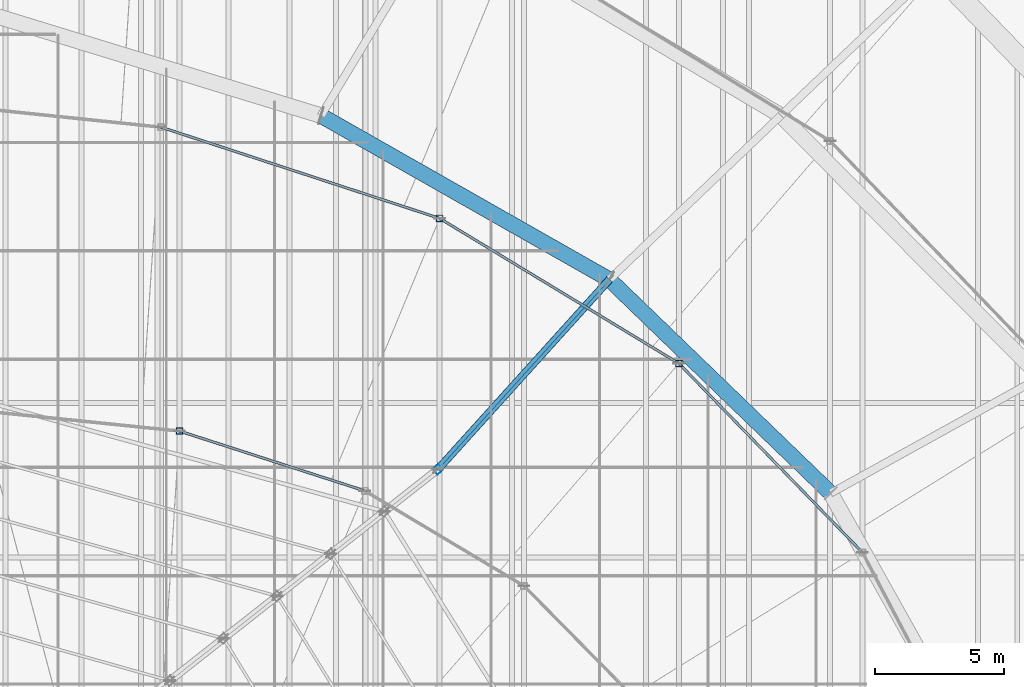
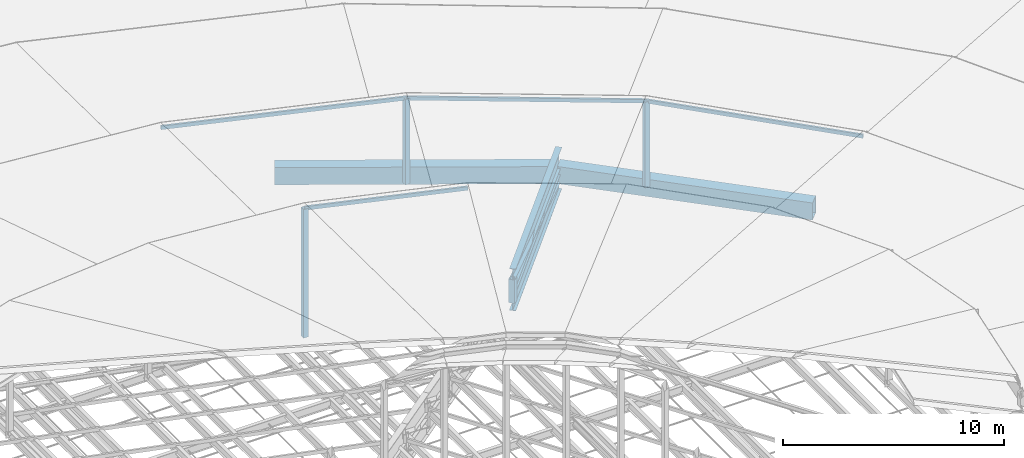
# One storey, part 121 of 184: 9 members, 4 beams.
"""IFC4 building model written with IfcOpenShell, lengths in metres."""

from ifc_helpers import new_model, si_unit, direction, frame, origin, origin_2d, place, context, subcontext, project, spatial, hollow_rectangle, i_section, extrude, material, material_profile, profile_set, type_object, element, save


model = new_model("IFC4")

# Units and contexts
model_context = context("Model", 3, precision=1e-05, world=origin(), true_north=direction((0.0, 1.0)))
body_context = subcontext(model_context, "Body", "Model", "MODEL_VIEW")
ifc_project = project(units=[si_unit("LENGTHUNIT", "METRE"), si_unit("AREAUNIT", "SQUARE_METRE"), si_unit("VOLUMEUNIT", "CUBIC_METRE"), si_unit("PLANEANGLEUNIT", "RADIAN"), si_unit("MASSUNIT", "GRAM", prefix="KILO")], contexts=[model_context])

# Site, building, storey
site_placement = place(None, origin())
site = spatial("IfcSite", under=ifc_project, at=site_placement, CompositionType="ELEMENT")
building_placement = place(site_placement, origin())
building = spatial("IfcBuilding", under=site, at=building_placement, Name="Kalgoora Escarpment Arena", CompositionType="ELEMENT")
storey_placement = place(building_placement, frame((0.0, 0.0, 27.60009765625)))
storey = spatial("IfcBuildingStorey", under=building, at=storey_placement, Name="Roof Level", CompositionType="ELEMENT", Elevation=27.60009765625)

# Beams
ifc_material_1 = material(Name="Structural steel Grade 350 (350 MPa)", Category="steel")
ifc_material_profile_1 = material_profile(ifc_material_1, hollow_rectangle(XDim=0.60009765625, YDim=0.949951171875, WallThickness=0.02490234375, at=origin_2d()))
ifc_profile_set_1 = profile_set([ifc_material_profile_1], Name="Structural steel Grade 350 (350 MPa)")
beam_type_1 = type_object("IfcBeamType", Name="BM-RING-BOX950", PredefinedType="USERDEFINED", material=ifc_profile_set_1)
beam_1_placement = place(storey_placement, frame((139.165283203125, 84.0, -1.25), z_axis=(-0.719462119733, 0.694531682696, 0.0), x_axis=(-0.694531682696, -0.719462119733, 0.0)))
element("IfcBeam", 1, at=beam_1_placement, inside=storey, type_object=beam_type_1, Name="Bowl compression RING BEAM chord 03", ObjectType="GIRDER", PredefinedType="USERDEFINED", context=body_context, shape_type="SweptSolid", body=[
    extrude(hollow_rectangle(XDim=0.60009765625, YDim=0.949951171875, WallThickness=0.02490234375, at=origin_2d()), origin(), (0.0, 0.0, 1.0), 11.927734375),
])
beam_2_placement = place(storey_placement, frame((130.583740234375, 92.2841796875, -1.25), z_axis=(-0.869373733104, 0.494155149917, 0.0), x_axis=(-0.494155149917, -0.869373733104, 0.0)))
element("IfcBeam", 2, at=beam_2_placement, inside=storey, type_object=beam_type_1, Name="Bowl compression RING BEAM chord 04", ObjectType="GIRDER", PredefinedType="USERDEFINED", context=body_context, shape_type="SweptSolid", body=[
    extrude(hollow_rectangle(XDim=0.60009765625, YDim=0.949951171875, WallThickness=0.02490234375, at=origin_2d()), origin(), (0.0, 0.0, 1.0), 12.8642578125),
])
ifc_material_2 = material(Name="Structural steel Grade 350 (350 MPa)", Category="steel")
ifc_material_profile_2 = material_profile(ifc_material_2, i_section(OverallWidth=0.300048828125, OverallDepth=1.010009765625, WebThickness=0.01611328125, FlangeThickness=0.030029296875, at=origin_2d()))
ifc_profile_set_2 = profile_set([ifc_material_profile_2], Name="Structural steel Grade 350 (350 MPa)")
beam_type_2 = type_object("IfcBeamType", Name="BM-TRUSS-CHORD", PredefinedType="USERDEFINED", material=ifc_profile_set_2)
for number, where, z_axis, x_axis, name in (
    (3, (130.591796875, 92.293212890625, -1.7001953125), (-0.670522582285, -0.741872022721, 0.005036720141), (0.741881433009, -0.670531087539, 0.0), "Radial ROOF TRUSS spine 2 bottom chord 1"),
    (4, (130.591796875, 92.293212890625, -0.400146484375), (-0.670522582285, -0.741872022721, 0.005036720141), (0.741881433009, -0.670531087539, 0.0), "Radial ROOF TRUSS spine 2 top chord 1"),
):
    element("IfcBeam", number, at=place(storey_placement, frame(where, z_axis=z_axis, x_axis=x_axis)), inside=storey, type_object=beam_type_2, Name=name, ObjectType="GIRDER", PredefinedType="USERDEFINED", context=body_context, shape_type="SweptSolid", body=[
        extrude(i_section(OverallWidth=0.300048828125, OverallDepth=1.010009765625, WebThickness=0.01611328125, FlangeThickness=0.030029296875, at=origin_2d()), origin(), (0.0, 0.0, 1.0), 9.936767578125),
    ])

# Members
ifc_material_3 = material(Name="Structural steel C450 (450 MPa)", Category="steel")
ifc_material_profile_3 = material_profile(ifc_material_3, hollow_rectangle(XDim=0.25, YDim=0.25, WallThickness=0.012451171875, at=origin_2d()))
ifc_profile_set_3 = profile_set([ifc_material_profile_3], Name="Structural steel C450 (450 MPa)")
member_type_1 = type_object("IfcMemberType", Name="MEM-PETAL-POST", PredefinedType="POST", material=ifc_profile_set_3)
for number, where, z_axis, x_axis, name in (
    (5, (133.2783203125, 89.031494140625, -1.02001953125), (0.0, 0.0, 1.0), (1.0, 0.0, 0.0), "Petal RP3 vertical support post S04"),
    (6, (124.0, 94.6572265625, -1.02001953125), (0.0, 0.0, 1.0), (1.0, 0.0, 0.0), "Petal RP3 vertical support post S05"),
):
    element("IfcMember", number, at=place(storey_placement, frame(where, z_axis=z_axis, x_axis=x_axis)), inside=storey, type_object=member_type_1, Name=name, PredefinedType="POST", context=body_context, shape_type="SweptSolid", body=[
        extrude(hollow_rectangle(XDim=0.25, YDim=0.25, WallThickness=0.012451171875, at=origin_2d()), origin(), (0.0, 0.0, 1.0), 4.724853515625),
    ])
member_1_placement = place(storey_placement, frame((113.912841796875, 86.409423828125, -0.960205078125), z_axis=(0.0, 0.0, 1.0), x_axis=(1.0, 0.0, 0.0)))
element("IfcMember", 7, at=member_1_placement, inside=storey, type_object=member_type_1, Name="Petal RP4 vertical support post S06", PredefinedType="POST", context=body_context, shape_type="SweptSolid", body=[
    extrude(hollow_rectangle(XDim=0.25, YDim=0.25, WallThickness=0.012451171875, at=origin_2d()), origin(), (0.0, 0.0, 1.0), 7.105224609375),
])
ifc_material_4 = material(Name="Structural steel C350 (350 MPa)", Category="steel")
ifc_material_profile_4 = material_profile(ifc_material_4, hollow_rectangle(XDim=0.10009765625, YDim=0.199951171875, WallThickness=0.009033203125, at=origin_2d()))
ifc_profile_set_4 = profile_set([ifc_material_profile_4], Name="Structural steel C350 (350 MPa)")
member_type_2 = type_object("IfcMemberType", Name="MEM-PURLIN-RHS", PredefinedType="PURLIN", material=ifc_profile_set_4)
member_2_placement = place(storey_placement, frame((140.39794921875, 81.699951171875, 3.684814453125), z_axis=(-0.696662765514, 0.717398767176, 0.0), x_axis=(-0.717398767176, -0.696662765514, 0.0)))
element("IfcMember", 8, at=member_2_placement, inside=storey, type_object=member_type_2, Name="Petal RP3 eave support ring purlin S03", PredefinedType="PURLIN", context=body_context, shape_type="SweptSolid", body=[
    extrude(hollow_rectangle(XDim=0.10009765625, YDim=0.199951171875, WallThickness=0.009033203125, at=origin_2d()), origin(), (0.0, 0.0, 1.0), 10.2197265625),
])
member_3_placement = place(storey_placement, frame((133.2783203125, 89.031494140625, 3.684814453125), z_axis=(-0.855095362894, 0.518470751689, 0.0), x_axis=(-0.518470751689, -0.855095362894, 0.0)))
element("IfcMember", 9, at=member_3_placement, inside=storey, type_object=member_type_2, Name="Petal RP3 eave support ring purlin S04", PredefinedType="PURLIN", context=body_context, shape_type="SweptSolid", body=[
    extrude(hollow_rectangle(XDim=0.10009765625, YDim=0.199951171875, WallThickness=0.009033203125, at=origin_2d()), origin(), (0.0, 0.0, 1.0), 10.8505859375),
])
member_4_placement = place(storey_placement, frame((124.0, 94.6572265625, 3.684814453125), z_axis=(-0.950385124824, 0.311075737583, 0.0), x_axis=(-0.311075737583, -0.950385124824, 0.0)))
element("IfcMember", 10, at=member_4_placement, inside=storey, type_object=member_type_2, Name="Petal RP3 eave support ring purlin S05", PredefinedType="PURLIN", context=body_context, shape_type="SweptSolid", body=[
    extrude(hollow_rectangle(XDim=0.10009765625, YDim=0.199951171875, WallThickness=0.009033203125, at=origin_2d()), origin(), (0.0, 0.0, 1.0), 11.368896484375),
])
member_5_placement = place(storey_placement, frame((121.10009765625, 84.091796875, 6.125), z_axis=(-0.951741215893, 0.306901707343, 0.0), x_axis=(-0.306901707343, -0.951741215893, 0.0)))
element("IfcMember", 11, at=member_5_placement, inside=storey, type_object=member_type_2, Name="Petal RP4 eave support ring purlin S05", PredefinedType="PURLIN", context=body_context, shape_type="SweptSolid", body=[
    extrude(hollow_rectangle(XDim=0.10009765625, YDim=0.199951171875, WallThickness=0.009033203125, at=origin_2d()), origin(), (0.0, 0.0, 1.0), 7.5517578125),
])
ifc_material_5 = material(Name="Structural steel C350 (350 MPa)", Category="steel")
ifc_material_profile_5 = material_profile(ifc_material_5, hollow_rectangle(XDim=0.199951171875, YDim=0.199951171875, WallThickness=0.009033203125, at=origin_2d()))
ifc_profile_set_5 = profile_set([ifc_material_profile_5], Name="Structural steel C350 (350 MPa)")
member_type_3 = type_object("IfcMemberType", Name="MEM-TRUSS-DIAG", PredefinedType="BRACE", material=ifc_profile_set_5)
member_6_placement = place(storey_placement, frame((130.583740234375, 92.2841796875, -1.7001953125), z_axis=(-0.664408647738, -0.735083668632, 0.134956099981), x_axis=(-0.620141149788, 0.44145930962, -0.648489500524)))
element("IfcMember", 12, at=member_6_placement, inside=storey, type_object=member_type_3, Name="Radial ROOF TRUSS spine 2 web diagonal 1", PredefinedType="BRACE", context=body_context, shape_type="SweptSolid", body=[
    extrude(hollow_rectangle(XDim=0.199951171875, YDim=0.199951171875, WallThickness=0.009033203125, at=origin_2d()), origin(), (0.0, 0.0, 1.0), 10.00390625),
])
ifc_material_6 = material(Name="Structural steel C450 (450 MPa)", Category="steel")
ifc_material_profile_6 = material_profile(ifc_material_6, hollow_rectangle(XDim=0.300048828125, YDim=0.300048828125, WallThickness=0.012451171875, at=origin_2d()))
ifc_profile_set_6 = profile_set([ifc_material_profile_6], Name="Structural steel C450 (450 MPa)")
member_type_4 = type_object("IfcMemberType", Name="MEM-TRUSS-POST", PredefinedType="POST", material=ifc_profile_set_6)
member_7_placement = place(storey_placement, frame((123.93701171875, 84.930419921875, -1.650146484375), z_axis=(0.0, 0.0, 1.0), x_axis=(-0.756081970773, -0.6544769312, 0.0)))
element("IfcMember", 13, at=member_7_placement, inside=storey, type_object=member_type_4, Name="Radial ROOF TRUSS spine 2 post 1", PredefinedType="POST", context=body_context, shape_type="SweptSolid", body=[
    extrude(hollow_rectangle(XDim=0.300048828125, YDim=0.300048828125, WallThickness=0.012451171875, at=origin_2d()), origin(), (0.0, 0.0, 1.0), 1.300048828125),
])

save(model, "model.ifc")
